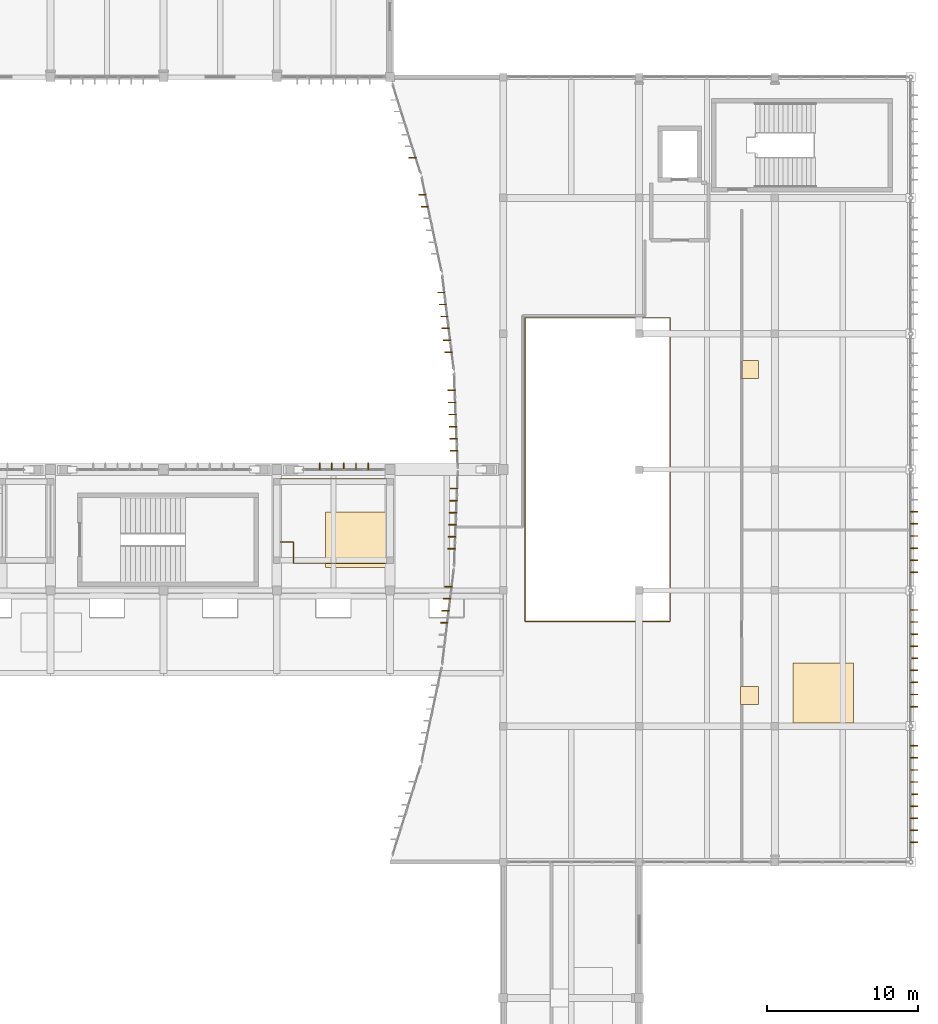
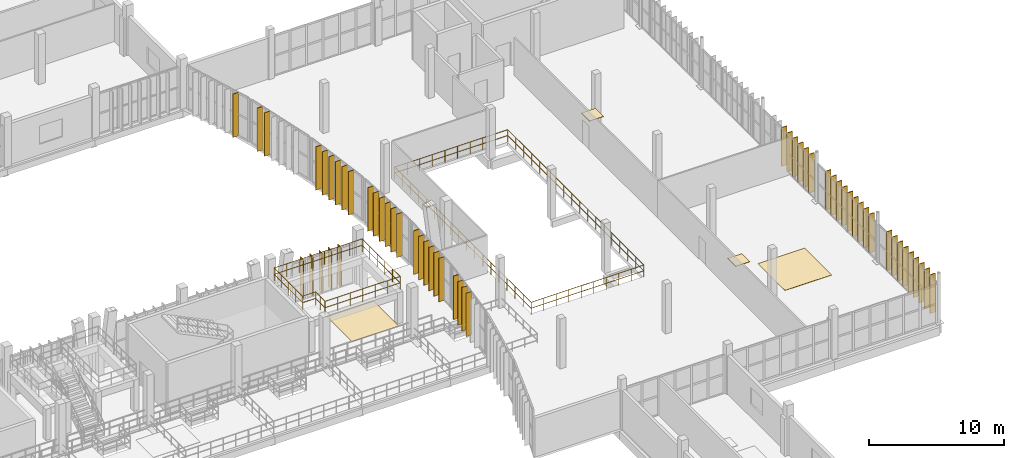
# One storey, part 79 of 81: 54 shading devices, 4 coverings, 2 railings.
"""IFC4 building model written with IfcOpenShell, lengths in metres."""

from ifc_helpers import new_model, si_unit, direction, frame, origin, origin_2d, place, context, subcontext, project, spatial, rectangle, circle, extrude, material, layer, layer_set, material_profile, profile_set, type_object, element, save


model = new_model("IFC4")

# Units and contexts
model_context = context("Model", 3, precision=1e-05, world=origin(), true_north=direction((0.0, 1.0)))
body_context = subcontext(model_context, "Body", "Model", "MODEL_VIEW")
ifc_project = project(units=[si_unit("LENGTHUNIT", "METRE"), si_unit("AREAUNIT", "SQUARE_METRE"), si_unit("VOLUMEUNIT", "CUBIC_METRE"), si_unit("PLANEANGLEUNIT", "RADIAN"), si_unit("MASSUNIT", "GRAM", prefix="KILO")], contexts=[model_context])

# Site, building, storey
site_placement = place(None, origin())
site = spatial("IfcSite", under=ifc_project, at=site_placement, CompositionType="ELEMENT")
building_placement = place(site_placement, origin())
building = spatial("IfcBuilding", under=site, at=building_placement, Name="Vourika Railside Aquatics Centre", CompositionType="ELEMENT")
storey_placement = place(building_placement, frame((0.0, 0.0, 4.800048828125)))
storey = spatial("IfcBuildingStorey", under=building, at=storey_placement, Name="L01", CompositionType="ELEMENT", Elevation=4.800048828125)

# Coverings
ifc_material_1 = material(Name="Perforated moisture-resistant acoustic gypsum ceiling")
ifc_layer_1 = layer(ifc_material_1, 0.02490234375, Name="COV-CEIL-25")
ifc_layer_set_1 = layer_set([ifc_layer_1], Name="Perforated moisture-resistant acoustic gypsum ceiling")
covering_type_1 = type_object("IfcCoveringType", Name="COV-CEIL-25", PredefinedType="CEILING", material=ifc_layer_set_1)
for number, where, z_axis, x_axis, name in (
    (1, (157.320068359375, 51.035400390625, 2.637451171875), (0.0, 0.0, 1.0), (1.0, 0.0, 0.0), "Aquatic Heritage Exhibition Gallery Acoustic Ceiling Panel"),
    (2, (157.320068359375, 72.634521484375, 2.637451171875), (0.0, 0.0, 1.0), (1.0, 0.0, 0.0), "VIP Hospitality Lounge and Terrace Bar Acoustic Ceiling Panel"),
):
    element("IfcCovering", number, at=place(storey_placement, frame(where, z_axis=z_axis, x_axis=x_axis)), inside=storey, type_object=covering_type_1, Name=name, PredefinedType="CEILING", context=body_context, shape_type="SweptSolid", body=[
        extrude(rectangle(XDim=1.199951171875, YDim=1.199951171875, at=origin_2d()), origin(), (0.0, 0.0, 1.0), 0.02490234375),
    ])
ifc_material_2 = material(Name="Slip-resistant aqua ceramic sports flooring")
ifc_layer_2 = layer(ifc_material_2, 0.02001953125, Name="COV-FLOR-20")
ifc_layer_set_2 = layer_set([ifc_layer_2], Name="Slip-resistant aqua ceramic sports flooring")
covering_type_2 = type_object("IfcCoveringType", Name="COV-FLOR-20", PredefinedType="FLOORING", material=ifc_layer_set_2)
covering_1_placement = place(storey_placement, frame((131.219970703125, 61.35009765625, 0.0), z_axis=(0.0, 0.0, 1.0), x_axis=(1.0, 0.0, 0.0)))
element("IfcCovering", 3, at=covering_1_placement, inside=storey, type_object=covering_type_2, Name="Spectator Concourse and Refreshment Kiosks Sports Flooring Panel", PredefinedType="FLOORING", context=body_context, shape_type="SweptSolid", body=[
    extrude(rectangle(XDim=4.0, YDim=3.699951171875, at=origin_2d()), origin(), (0.0, 0.0, 1.0), 0.02001953125),
])
covering_2_placement = place(storey_placement, frame((162.199951171875, 51.199951171875, 0.0), z_axis=(0.0, 0.0, 1.0), x_axis=(1.0, 0.0, 0.0)))
element("IfcCovering", 4, at=covering_2_placement, inside=storey, type_object=covering_type_2, Name="Aquatic Heritage Exhibition Gallery Sports Flooring Panel", PredefinedType="FLOORING", context=body_context, shape_type="SweptSolid", body=[
    extrude(rectangle(XDim=4.0, YDim=4.0, at=origin_2d()), origin(), (0.0, 0.0, 1.0), 0.02001953125),
])

# Railings
ifc_material_3 = material(Name="Duplex stainless steel EN 1.4462", Category="steel")
railing_type_1 = type_object("IfcRailingType", Name="RL-BAL-GLS110", PredefinedType="BALUSTRADE", material=ifc_material_3)
railing_1_placement = place(storey_placement, frame((142.43994140625, 55.93994140625, 0.0)))
element("IfcRailing", 5, at=railing_1_placement, inside=storey, type_object=railing_type_1, Name="Foyer Atrium Gallery Perimeter Guard", PredefinedType="BALUSTRADE", context=body_context, shape_type="SweptSolid", body=[
    extrude(circle(Radius=0.02392578125, at=origin_2d()), frame((0.0, 0.0, 1.076171875), z_axis=(1.0, 0.0, 0.0), x_axis=(0.0, 1.0, 0.0)), (0.0, 0.0, 1.0), 9.6201171875),
    extrude(circle(Radius=0.02392578125, at=origin_2d()), frame((0.0, 0.0, 0.550048828125), z_axis=(1.0, 0.0, 0.0), x_axis=(0.0, 1.0, 0.0)), (0.0, 0.0, 1.0), 9.6201171875),
    extrude(circle(Radius=0.02392578125, at=origin_2d()), frame((9.6201171875, 0.0, 1.076171875), z_axis=(0.0, 1.0, 0.0), x_axis=(-1.0, 0.0, 0.0)), (0.0, 0.0, 1.0), 20.1201171875),
    extrude(circle(Radius=0.02392578125, at=origin_2d()), frame((9.6201171875, 0.0, 0.550048828125), z_axis=(0.0, 1.0, 0.0), x_axis=(-1.0, 0.0, 0.0)), (0.0, 0.0, 1.0), 20.1201171875),
    extrude(circle(Radius=0.02392578125, at=origin_2d()), frame((9.6201171875, 20.1201171875, 1.076171875), z_axis=(-1.0, 0.0, 0.0), x_axis=(0.0, -1.0, 0.0)), (0.0, 0.0, 1.0), 9.6201171875),
    extrude(circle(Radius=0.02392578125, at=origin_2d()), frame((9.6201171875, 20.1201171875, 0.550048828125), z_axis=(-1.0, 0.0, 0.0), x_axis=(0.0, -1.0, 0.0)), (0.0, 0.0, 1.0), 9.6201171875),
    extrude(circle(Radius=0.02392578125, at=origin_2d()), frame((0.0, 20.1201171875, 1.076171875), z_axis=(0.0, -1.0, 0.0), x_axis=(1.0, 0.0, 0.0)), (0.0, 0.0, 1.0), 20.1201171875),
    extrude(circle(Radius=0.02392578125, at=origin_2d()), frame((0.0, 20.1201171875, 0.550048828125), z_axis=(0.0, -1.0, 0.0), x_axis=(1.0, 0.0, 0.0)), (0.0, 0.0, 1.0), 20.1201171875),
    extrude(circle(Radius=0.02099609375, at=origin_2d()), origin(), (0.0, 0.0, 1.0), 1.052001953125),
    extrude(circle(Radius=0.02099609375, at=origin_2d()), frame((1.06884765625, 0.0, 0.0)), (0.0, 0.0, 1.0), 1.052001953125),
    extrude(circle(Radius=0.02099609375, at=origin_2d()), frame((2.1376953125, 0.0, 0.0)), (0.0, 0.0, 1.0), 1.052001953125),
    extrude(circle(Radius=0.02099609375, at=origin_2d()), frame((3.206787109375, 0.0, 0.0)), (0.0, 0.0, 1.0), 1.052001953125),
    extrude(circle(Radius=0.02099609375, at=origin_2d()), frame((4.275634765625, 0.0, 0.0)), (0.0, 0.0, 1.0), 1.052001953125),
    extrude(circle(Radius=0.02099609375, at=origin_2d()), frame((5.344482421875, 0.0, 0.0)), (0.0, 0.0, 1.0), 1.052001953125),
    extrude(circle(Radius=0.02099609375, at=origin_2d()), frame((6.413330078125, 0.0, 0.0)), (0.0, 0.0, 1.0), 1.052001953125),
    extrude(circle(Radius=0.02099609375, at=origin_2d()), frame((7.482421875, 0.0, 0.0)), (0.0, 0.0, 1.0), 1.052001953125),
    extrude(circle(Radius=0.02099609375, at=origin_2d()), frame((8.55126953125, 0.0, 0.0)), (0.0, 0.0, 1.0), 1.052001953125),
    extrude(circle(Radius=0.02099609375, at=origin_2d()), frame((9.6201171875, 0.0, 0.0)), (0.0, 0.0, 1.0), 1.052001953125),
    extrude(circle(Radius=0.02099609375, at=origin_2d()), frame((9.6201171875, 1.18359375, 0.0)), (0.0, 0.0, 1.0), 1.052001953125),
    extrude(circle(Radius=0.02099609375, at=origin_2d()), frame((9.6201171875, 2.3671875, 0.0)), (0.0, 0.0, 1.0), 1.052001953125),
    extrude(circle(Radius=0.02099609375, at=origin_2d()), frame((9.6201171875, 3.550537109375, 0.0)), (0.0, 0.0, 1.0), 1.052001953125),
    extrude(circle(Radius=0.02099609375, at=origin_2d()), frame((9.6201171875, 4.734130859375, 0.0)), (0.0, 0.0, 1.0), 1.052001953125),
    extrude(circle(Radius=0.02099609375, at=origin_2d()), frame((9.6201171875, 5.917724609375, 0.0)), (0.0, 0.0, 1.0), 1.052001953125),
    extrude(circle(Radius=0.02099609375, at=origin_2d()), frame((9.6201171875, 7.101318359375, 0.0)), (0.0, 0.0, 1.0), 1.052001953125),
    extrude(circle(Radius=0.02099609375, at=origin_2d()), frame((9.6201171875, 8.28466796875, 0.0)), (0.0, 0.0, 1.0), 1.052001953125),
    extrude(circle(Radius=0.02099609375, at=origin_2d()), frame((9.6201171875, 9.46826171875, 0.0)), (0.0, 0.0, 1.0), 1.052001953125),
    extrude(circle(Radius=0.02099609375, at=origin_2d()), frame((9.6201171875, 10.65185546875, 0.0)), (0.0, 0.0, 1.0), 1.052001953125),
    extrude(circle(Radius=0.02099609375, at=origin_2d()), frame((9.6201171875, 11.83544921875, 0.0)), (0.0, 0.0, 1.0), 1.052001953125),
    extrude(circle(Radius=0.02099609375, at=origin_2d()), frame((9.6201171875, 13.018798828125, 0.0)), (0.0, 0.0, 1.0), 1.052001953125),
    extrude(circle(Radius=0.02099609375, at=origin_2d()), frame((9.6201171875, 14.202392578125, 0.0)), (0.0, 0.0, 1.0), 1.052001953125),
    extrude(circle(Radius=0.02099609375, at=origin_2d()), frame((9.6201171875, 15.385986328125, 0.0)), (0.0, 0.0, 1.0), 1.052001953125),
    extrude(circle(Radius=0.02099609375, at=origin_2d()), frame((9.6201171875, 16.569580078125, 0.0)), (0.0, 0.0, 1.0), 1.052001953125),
    extrude(circle(Radius=0.02099609375, at=origin_2d()), frame((9.6201171875, 17.7529296875, 0.0)), (0.0, 0.0, 1.0), 1.052001953125),
    extrude(circle(Radius=0.02099609375, at=origin_2d()), frame((9.6201171875, 18.9365234375, 0.0)), (0.0, 0.0, 1.0), 1.052001953125),
    extrude(circle(Radius=0.02099609375, at=origin_2d()), frame((9.6201171875, 20.1201171875, 0.0)), (0.0, 0.0, 1.0), 1.052001953125),
    extrude(circle(Radius=0.02099609375, at=origin_2d()), frame((8.55126953125, 20.1201171875, 0.0)), (0.0, 0.0, 1.0), 1.052001953125),
    extrude(circle(Radius=0.02099609375, at=origin_2d()), frame((7.482421875, 20.1201171875, 0.0)), (0.0, 0.0, 1.0), 1.052001953125),
    extrude(circle(Radius=0.02099609375, at=origin_2d()), frame((6.413330078125, 20.1201171875, 0.0)), (0.0, 0.0, 1.0), 1.052001953125),
    extrude(circle(Radius=0.02099609375, at=origin_2d()), frame((5.344482421875, 20.1201171875, 0.0)), (0.0, 0.0, 1.0), 1.052001953125),
    extrude(circle(Radius=0.02099609375, at=origin_2d()), frame((4.275634765625, 20.1201171875, 0.0)), (0.0, 0.0, 1.0), 1.052001953125),
    extrude(circle(Radius=0.02099609375, at=origin_2d()), frame((3.206787109375, 20.1201171875, 0.0)), (0.0, 0.0, 1.0), 1.052001953125),
    extrude(circle(Radius=0.02099609375, at=origin_2d()), frame((2.1376953125, 20.1201171875, 0.0)), (0.0, 0.0, 1.0), 1.052001953125),
    extrude(circle(Radius=0.02099609375, at=origin_2d()), frame((1.06884765625, 20.1201171875, 0.0)), (0.0, 0.0, 1.0), 1.052001953125),
    extrude(circle(Radius=0.02099609375, at=origin_2d()), frame((0.0, 20.1201171875, 0.0)), (0.0, 0.0, 1.0), 1.052001953125),
    extrude(circle(Radius=0.02099609375, at=origin_2d()), frame((0.0, 18.9365234375, 0.0)), (0.0, 0.0, 1.0), 1.052001953125),
    extrude(circle(Radius=0.02099609375, at=origin_2d()), frame((0.0, 17.7529296875, 0.0)), (0.0, 0.0, 1.0), 1.052001953125),
    extrude(circle(Radius=0.02099609375, at=origin_2d()), frame((0.0, 16.569580078125, 0.0)), (0.0, 0.0, 1.0), 1.052001953125),
    extrude(circle(Radius=0.02099609375, at=origin_2d()), frame((0.0, 15.385986328125, 0.0)), (0.0, 0.0, 1.0), 1.052001953125),
    extrude(circle(Radius=0.02099609375, at=origin_2d()), frame((0.0, 14.202392578125, 0.0)), (0.0, 0.0, 1.0), 1.052001953125),
    extrude(circle(Radius=0.02099609375, at=origin_2d()), frame((0.0, 13.018798828125, 0.0)), (0.0, 0.0, 1.0), 1.052001953125),
    extrude(circle(Radius=0.02099609375, at=origin_2d()), frame((0.0, 11.83544921875, 0.0)), (0.0, 0.0, 1.0), 1.052001953125),
    extrude(circle(Radius=0.02099609375, at=origin_2d()), frame((0.0, 10.65185546875, 0.0)), (0.0, 0.0, 1.0), 1.052001953125),
    extrude(circle(Radius=0.02099609375, at=origin_2d()), frame((0.0, 9.46826171875, 0.0)), (0.0, 0.0, 1.0), 1.052001953125),
    extrude(circle(Radius=0.02099609375, at=origin_2d()), frame((0.0, 8.28466796875, 0.0)), (0.0, 0.0, 1.0), 1.052001953125),
    extrude(circle(Radius=0.02099609375, at=origin_2d()), frame((0.0, 7.101318359375, 0.0)), (0.0, 0.0, 1.0), 1.052001953125),
    extrude(circle(Radius=0.02099609375, at=origin_2d()), frame((0.0, 5.917724609375, 0.0)), (0.0, 0.0, 1.0), 1.052001953125),
    extrude(circle(Radius=0.02099609375, at=origin_2d()), frame((0.0, 4.734130859375, 0.0)), (0.0, 0.0, 1.0), 1.052001953125),
    extrude(circle(Radius=0.02099609375, at=origin_2d()), frame((0.0, 3.550537109375, 0.0)), (0.0, 0.0, 1.0), 1.052001953125),
    extrude(circle(Radius=0.02099609375, at=origin_2d()), frame((0.0, 2.3671875, 0.0)), (0.0, 0.0, 1.0), 1.052001953125),
    extrude(circle(Radius=0.02099609375, at=origin_2d()), frame((0.0, 1.18359375, 0.0)), (0.0, 0.0, 1.0), 1.052001953125),
])
railing_type_2 = type_object("IfcRailingType", Name="RL-BAL-STD120", PredefinedType="BALUSTRADE", material=ifc_material_3)
railing_2_placement = place(storey_placement, frame((133.5, 59.800048828125, 3.02001953125)))
element("IfcRailing", 6, at=railing_2_placement, inside=storey, type_object=railing_type_2, Name="Spectator Stand Crowd Barrier (Stand Upper Tier Bay 13-1)", PredefinedType="BALUSTRADE", context=body_context, shape_type="SweptSolid", body=[
    extrude(circle(Radius=0.02392578125, at=origin_2d()), frame((0.0, 0.0, 1.17578125), z_axis=(-1.0, 0.0, 0.0), x_axis=(0.0, -1.0, 0.0)), (0.0, 0.0, 1.0), 6.39990234375),
    extrude(circle(Radius=0.02392578125, at=origin_2d()), frame((0.0, 0.0, 0.60009765625), z_axis=(-1.0, 0.0, 0.0), x_axis=(0.0, -1.0, 0.0)), (0.0, 0.0, 1.0), 6.39990234375),
    extrude(circle(Radius=0.02392578125, at=origin_2d()), frame((-6.39990234375, 0.0, 1.17578125), z_axis=(0.0, 1.0, 0.0), x_axis=(-1.0, 0.0, 0.0)), (0.0, 0.0, 1.0), 1.39990234375),
    extrude(circle(Radius=0.02392578125, at=origin_2d()), frame((-6.39990234375, 0.0, 0.60009765625), z_axis=(0.0, 1.0, 0.0), x_axis=(-1.0, 0.0, 0.0)), (0.0, 0.0, 1.0), 1.39990234375),
    extrude(circle(Radius=0.02392578125, at=origin_2d()), frame((-6.39990234375, 1.39990234375, 1.17578125), z_axis=(-1.0, 0.0, 0.0), x_axis=(0.0, -1.0, 0.0)), (0.0, 0.0, 1.0), 1.10009765625),
    extrude(circle(Radius=0.02392578125, at=origin_2d()), frame((-6.39990234375, 1.39990234375, 0.60009765625), z_axis=(-1.0, 0.0, 0.0), x_axis=(0.0, -1.0, 0.0)), (0.0, 0.0, 1.0), 1.10009765625),
    extrude(circle(Radius=0.02392578125, at=origin_2d()), frame((-7.5, 1.39990234375, 1.17578125), z_axis=(0.0, 1.0, 0.0), x_axis=(-1.0, 0.0, 0.0)), (0.0, 0.0, 1.0), 4.199951171875),
    extrude(circle(Radius=0.02392578125, at=origin_2d()), frame((-7.5, 1.39990234375, 0.60009765625), z_axis=(0.0, 1.0, 0.0), x_axis=(-1.0, 0.0, 0.0)), (0.0, 0.0, 1.0), 4.199951171875),
    extrude(circle(Radius=0.02392578125, at=origin_2d()), frame((-7.5, 5.599853515625, 1.17578125), z_axis=(1.0, 0.0, 0.0), x_axis=(0.0, 1.0, 0.0)), (0.0, 0.0, 1.0), 7.5),
    extrude(circle(Radius=0.02392578125, at=origin_2d()), frame((-7.5, 5.599853515625, 0.60009765625), z_axis=(1.0, 0.0, 0.0), x_axis=(0.0, 1.0, 0.0)), (0.0, 0.0, 1.0), 7.5),
    extrude(circle(Radius=0.02392578125, at=origin_2d()), frame((0.0, 5.599853515625, 1.17578125), z_axis=(0.0, -1.0, 0.0), x_axis=(1.0, 0.0, 0.0)), (0.0, 0.0, 1.0), 5.599853515625),
    extrude(circle(Radius=0.02392578125, at=origin_2d()), frame((0.0, 5.599853515625, 0.60009765625), z_axis=(0.0, -1.0, 0.0), x_axis=(1.0, 0.0, 0.0)), (0.0, 0.0, 1.0), 5.599853515625),
    extrude(circle(Radius=0.02099609375, at=origin_2d()), origin(), (0.0, 0.0, 1.0), 1.15185546875),
    extrude(circle(Radius=0.02099609375, at=origin_2d()), frame((-1.066650390625, 0.0, 0.0)), (0.0, 0.0, 1.0), 1.15185546875),
    extrude(circle(Radius=0.02099609375, at=origin_2d()), frame((-2.13330078125, 0.0, 0.0)), (0.0, 0.0, 1.0), 1.15185546875),
    extrude(circle(Radius=0.02099609375, at=origin_2d()), frame((-3.199951171875, 0.0, 0.0)), (0.0, 0.0, 1.0), 1.15185546875),
    extrude(circle(Radius=0.02099609375, at=origin_2d()), frame((-4.2666015625, 0.0, 0.0)), (0.0, 0.0, 1.0), 1.15185546875),
    extrude(circle(Radius=0.02099609375, at=origin_2d()), frame((-5.333251953125, 0.0, 0.0)), (0.0, 0.0, 1.0), 1.15185546875),
    extrude(circle(Radius=0.02099609375, at=origin_2d()), frame((-6.39990234375, 0.0, 0.0)), (0.0, 0.0, 1.0), 1.15185546875),
    extrude(circle(Radius=0.02099609375, at=origin_2d()), frame((-6.39990234375, 0.699951171875, 0.0)), (0.0, 0.0, 1.0), 1.15185546875),
    extrude(circle(Radius=0.02099609375, at=origin_2d()), frame((-6.39990234375, 1.39990234375, 0.0)), (0.0, 0.0, 1.0), 1.15185546875),
    extrude(circle(Radius=0.02099609375, at=origin_2d()), frame((-7.5, 1.39990234375, 0.0)), (0.0, 0.0, 1.0), 1.15185546875),
    extrude(circle(Radius=0.02099609375, at=origin_2d()), frame((-7.5, 2.449951171875, 0.0)), (0.0, 0.0, 1.0), 1.15185546875),
    extrude(circle(Radius=0.02099609375, at=origin_2d()), frame((-7.5, 3.5, 0.0)), (0.0, 0.0, 1.0), 1.15185546875),
    extrude(circle(Radius=0.02099609375, at=origin_2d()), frame((-7.5, 4.5498046875, 0.0)), (0.0, 0.0, 1.0), 1.15185546875),
    extrude(circle(Radius=0.02099609375, at=origin_2d()), frame((-7.5, 5.599853515625, 0.0)), (0.0, 0.0, 1.0), 1.15185546875),
    extrude(circle(Radius=0.02099609375, at=origin_2d()), frame((-6.428466796875, 5.599853515625, 0.0)), (0.0, 0.0, 1.0), 1.15185546875),
    extrude(circle(Radius=0.02099609375, at=origin_2d()), frame((-5.357177734375, 5.599853515625, 0.0)), (0.0, 0.0, 1.0), 1.15185546875),
    extrude(circle(Radius=0.02099609375, at=origin_2d()), frame((-4.28564453125, 5.599853515625, 0.0)), (0.0, 0.0, 1.0), 1.15185546875),
    extrude(circle(Radius=0.02099609375, at=origin_2d()), frame((-3.21435546875, 5.599853515625, 0.0)), (0.0, 0.0, 1.0), 1.15185546875),
    extrude(circle(Radius=0.02099609375, at=origin_2d()), frame((-2.142822265625, 5.599853515625, 0.0)), (0.0, 0.0, 1.0), 1.15185546875),
    extrude(circle(Radius=0.02099609375, at=origin_2d()), frame((-1.071533203125, 5.599853515625, 0.0)), (0.0, 0.0, 1.0), 1.15185546875),
    extrude(circle(Radius=0.02099609375, at=origin_2d()), frame((0.0, 5.599853515625, 0.0)), (0.0, 0.0, 1.0), 1.15185546875),
    extrude(circle(Radius=0.02099609375, at=origin_2d()), frame((0.0, 4.47998046875, 0.0)), (0.0, 0.0, 1.0), 1.15185546875),
    extrude(circle(Radius=0.02099609375, at=origin_2d()), frame((0.0, 3.35986328125, 0.0)), (0.0, 0.0, 1.0), 1.15185546875),
    extrude(circle(Radius=0.02099609375, at=origin_2d()), frame((0.0, 2.239990234375, 0.0)), (0.0, 0.0, 1.0), 1.15185546875),
    extrude(circle(Radius=0.02099609375, at=origin_2d()), frame((0.0, 1.119873046875, 0.0)), (0.0, 0.0, 1.0), 1.15185546875),
])

# Shading devices
ifc_material_4 = material(Name="Bronze-anodized extruded aluminium", Category="aluminium")
ifc_material_profile = material_profile(ifc_material_4, rectangle(XDim=0.06005859375, YDim=0.47998046875, at=origin_2d()), Name="ALU-FIN 60x480")
ifc_profile_set = profile_set([ifc_material_profile], Name="Bronze-anodized extruded aluminium")
shading_device_type = type_object("IfcShadingDeviceType", Name="SHD-FIN-F48A", PredefinedType="USERDEFINED", material=ifc_profile_set)
for number, where, z_axis, x_axis, name in (
    (7, (128.844970703125, 66.215087890625, 0.0), (0.0, 0.0, 1.0), (1.0, 0.0, 0.0), "Vertical Solar Fin VSF-0278"),
    (8, (129.64501953125, 66.215087890625, 0.0), (0.0, 0.0, 1.0), (1.0, 0.0, 0.0), "Vertical Solar Fin VSF-0279"),
    (9, (130.445068359375, 66.215087890625, 0.0), (0.0, 0.0, 1.0), (1.0, 0.0, 0.0), "Vertical Solar Fin VSF-0280"),
    (10, (131.2451171875, 66.215087890625, 0.0), (0.0, 0.0, 1.0), (1.0, 0.0, 0.0), "Vertical Solar Fin VSF-0281"),
    (11, (132.044921875, 66.215087890625, 0.0), (0.0, 0.0, 1.0), (1.0, 0.0, 0.0), "Vertical Solar Fin VSF-0282"),
):
    element("IfcShadingDevice", number, at=place(storey_placement, frame(where, z_axis=z_axis, x_axis=x_axis)), inside=storey, type_object=shading_device_type, Name=name, ObjectType="FIN", PredefinedType="USERDEFINED", context=body_context, shape_type="SweptSolid", body=[
        extrude(rectangle(XDim=0.06005859375, YDim=0.47998046875, at=origin_2d()), origin(), (0.0, 0.0, 1.0), 3.599853515625),
    ])
for number, where, z_axis, x_axis, name in (
    (12, (137.0849609375, 55.85302734375, 0.0), (0.0, 0.0, 1.0), (0.0, 1.0, 0.0), "Vertical Solar Fin VSF-0414"),
    (13, (137.18212890625, 56.64697265625, 0.0), (0.0, 0.0, 1.0), (0.0, 1.0, 0.0), "Vertical Solar Fin VSF-0415"),
    (14, (137.279296875, 57.441162109375, 0.0), (0.0, 0.0, 1.0), (0.0, 1.0, 0.0), "Vertical Solar Fin VSF-0416"),
    (15, (137.37646484375, 58.235107421875, 0.0), (0.0, 0.0, 1.0), (0.0, 1.0, 0.0), "Vertical Solar Fin VSF-0417"),
    (16, (137.58056640625, 60.751708984375, 0.0), (0.0, 0.0, 1.0), (0.0, 1.0, 0.0), "Vertical Solar Fin VSF-0418"),
    (17, (137.612548828125, 61.551025390625, 0.0), (0.0, 0.0, 1.0), (0.0, 1.0, 0.0), "Vertical Solar Fin VSF-0419"),
    (18, (137.64453125, 62.350341796875, 0.0), (0.0, 0.0, 1.0), (0.0, 1.0, 0.0), "Vertical Solar Fin VSF-0420"),
    (19, (137.676513671875, 63.149658203125, 0.0), (0.0, 0.0, 1.0), (0.0, 1.0, 0.0), "Vertical Solar Fin VSF-0421"),
    (20, (137.70849609375, 63.948974609375, 0.0), (0.0, 0.0, 1.0), (0.0, 1.0, 0.0), "Vertical Solar Fin VSF-0422"),
    (21, (137.740478515625, 64.748291015625, 0.0), (0.0, 0.0, 1.0), (0.0, 1.0, 0.0), "Vertical Solar Fin VSF-0423"),
    (22, (137.740478515625, 67.251708984375, 0.0), (0.0, 0.0, 1.0), (0.0, 1.0, 0.0), "Vertical Solar Fin VSF-0424"),
    (23, (137.70849609375, 68.051025390625, 0.0), (0.0, 0.0, 1.0), (0.0, 1.0, 0.0), "Vertical Solar Fin VSF-0425"),
    (24, (137.676513671875, 68.850341796875, 0.0), (0.0, 0.0, 1.0), (0.0, 1.0, 0.0), "Vertical Solar Fin VSF-0426"),
    (25, (137.64453125, 69.649658203125, 0.0), (0.0, 0.0, 1.0), (0.0, 1.0, 0.0), "Vertical Solar Fin VSF-0427"),
    (26, (137.612548828125, 70.448974609375, 0.0), (0.0, 0.0, 1.0), (0.0, 1.0, 0.0), "Vertical Solar Fin VSF-0428"),
    (27, (137.58056640625, 71.248291015625, 0.0), (0.0, 0.0, 1.0), (0.0, 1.0, 0.0), "Vertical Solar Fin VSF-0429"),
    (28, (137.37646484375, 73.764892578125, 0.0), (0.0, 0.0, 1.0), (0.0, 1.0, 0.0), "Vertical Solar Fin VSF-0430"),
    (29, (137.279296875, 74.558837890625, 0.0), (0.0, 0.0, 1.0), (0.0, 1.0, 0.0), "Vertical Solar Fin VSF-0431"),
    (30, (137.18212890625, 75.35302734375, 0.0), (0.0, 0.0, 1.0), (0.0, 1.0, 0.0), "Vertical Solar Fin VSF-0432"),
    (31, (137.0849609375, 76.14697265625, 0.0), (0.0, 0.0, 1.0), (0.0, 1.0, 0.0), "Vertical Solar Fin VSF-0433"),
    (32, (136.98779296875, 76.941162109375, 0.0), (0.0, 0.0, 1.0), (0.0, 1.0, 0.0), "Vertical Solar Fin VSF-0434"),
    (33, (136.890625, 77.735107421875, 0.0), (0.0, 0.0, 1.0), (0.0, 1.0, 0.0), "Vertical Solar Fin VSF-0435"),
    (34, (135.7978515625, 83.423828125, 0.0), (0.0, 0.0, 1.0), (0.0, 1.0, 0.0), "Vertical Solar Fin VSF-0440"),
    (35, (135.6318359375, 84.206298828125, 0.0), (0.0, 0.0, 1.0), (0.0, 1.0, 0.0), "Vertical Solar Fin VSF-0441"),
    (36, (134.989501953125, 86.672119140625, 0.0), (0.0, 0.0, 1.0), (0.0, 1.0, 0.0), "Vertical Solar Fin VSF-0442"),
):
    element("IfcShadingDevice", number, at=place(storey_placement, frame(where, z_axis=z_axis, x_axis=x_axis)), inside=storey, type_object=shading_device_type, Name=name, ObjectType="FIN", PredefinedType="USERDEFINED", context=body_context, shape_type="SweptSolid", body=[
        extrude(rectangle(XDim=0.06005859375, YDim=0.47998046875, at=origin_2d()), origin(), (0.0, 0.0, 1.0), 3.919921875),
    ])
for number, where, z_axis, x_axis, name in (
    (37, (168.215087890625, 41.300048828125, 0.0), (0.0, 0.0, 1.0), (0.0, -1.0, 0.0), "Vertical Solar Fin VSF-0448"),
    (38, (168.215087890625, 42.10009765625, 0.0), (0.0, 0.0, 1.0), (0.0, -1.0, 0.0), "Vertical Solar Fin VSF-0449"),
    (39, (168.215087890625, 42.89990234375, 0.0), (0.0, 0.0, 1.0), (0.0, -1.0, 0.0), "Vertical Solar Fin VSF-0450"),
    (40, (168.215087890625, 43.699951171875, 0.0), (0.0, 0.0, 1.0), (0.0, -1.0, 0.0), "Vertical Solar Fin VSF-0451"),
    (41, (168.215087890625, 44.5, 0.0), (0.0, 0.0, 1.0), (0.0, -1.0, 0.0), "Vertical Solar Fin VSF-0452"),
    (42, (168.215087890625, 45.300048828125, 0.0), (0.0, 0.0, 1.0), (0.0, -1.0, 0.0), "Vertical Solar Fin VSF-0453"),
    (43, (168.215087890625, 46.10009765625, 0.0), (0.0, 0.0, 1.0), (0.0, -1.0, 0.0), "Vertical Solar Fin VSF-0454"),
    (44, (168.215087890625, 46.89990234375, 0.0), (0.0, 0.0, 1.0), (0.0, -1.0, 0.0), "Vertical Solar Fin VSF-0455"),
    (45, (168.215087890625, 47.699951171875, 0.0), (0.0, 0.0, 1.0), (0.0, -1.0, 0.0), "Vertical Solar Fin VSF-0456"),
    (46, (168.215087890625, 50.300048828125, 0.0), (0.0, 0.0, 1.0), (0.0, -1.0, 0.0), "Vertical Solar Fin VSF-0457"),
    (47, (168.215087890625, 51.10009765625, 0.0), (0.0, 0.0, 1.0), (0.0, -1.0, 0.0), "Vertical Solar Fin VSF-0458"),
    (48, (168.215087890625, 51.89990234375, 0.0), (0.0, 0.0, 1.0), (0.0, -1.0, 0.0), "Vertical Solar Fin VSF-0459"),
    (49, (168.215087890625, 52.699951171875, 0.0), (0.0, 0.0, 1.0), (0.0, -1.0, 0.0), "Vertical Solar Fin VSF-0460"),
    (50, (168.215087890625, 53.5, 0.0), (0.0, 0.0, 1.0), (0.0, -1.0, 0.0), "Vertical Solar Fin VSF-0461"),
    (51, (168.215087890625, 54.300048828125, 0.0), (0.0, 0.0, 1.0), (0.0, -1.0, 0.0), "Vertical Solar Fin VSF-0462"),
    (52, (168.215087890625, 55.10009765625, 0.0), (0.0, 0.0, 1.0), (0.0, -1.0, 0.0), "Vertical Solar Fin VSF-0463"),
    (53, (168.215087890625, 55.89990234375, 0.0), (0.0, 0.0, 1.0), (0.0, -1.0, 0.0), "Vertical Solar Fin VSF-0464"),
    (54, (168.215087890625, 56.699951171875, 0.0), (0.0, 0.0, 1.0), (0.0, -1.0, 0.0), "Vertical Solar Fin VSF-0465"),
    (55, (168.215087890625, 59.199951171875, 0.0), (0.0, 0.0, 1.0), (0.0, -1.0, 0.0), "Vertical Solar Fin VSF-0466"),
    (56, (168.215087890625, 60.0, 0.0), (0.0, 0.0, 1.0), (0.0, -1.0, 0.0), "Vertical Solar Fin VSF-0467"),
    (57, (168.215087890625, 60.800048828125, 0.0), (0.0, 0.0, 1.0), (0.0, -1.0, 0.0), "Vertical Solar Fin VSF-0468"),
    (58, (168.215087890625, 61.60009765625, 0.0), (0.0, 0.0, 1.0), (0.0, -1.0, 0.0), "Vertical Solar Fin VSF-0469"),
    (59, (168.215087890625, 62.39990234375, 0.0), (0.0, 0.0, 1.0), (0.0, -1.0, 0.0), "Vertical Solar Fin VSF-0470"),
    (60, (168.215087890625, 63.199951171875, 0.0), (0.0, 0.0, 1.0), (0.0, -1.0, 0.0), "Vertical Solar Fin VSF-0471"),
):
    element("IfcShadingDevice", number, at=place(storey_placement, frame(where, z_axis=z_axis, x_axis=x_axis)), inside=storey, type_object=shading_device_type, Name=name, ObjectType="FIN", PredefinedType="USERDEFINED", context=body_context, shape_type="SweptSolid", body=[
        extrude(rectangle(XDim=0.06005859375, YDim=0.47998046875, at=origin_2d()), origin(), (0.0, 0.0, 1.0), 3.5),
    ])

save(model, "model.ifc")
